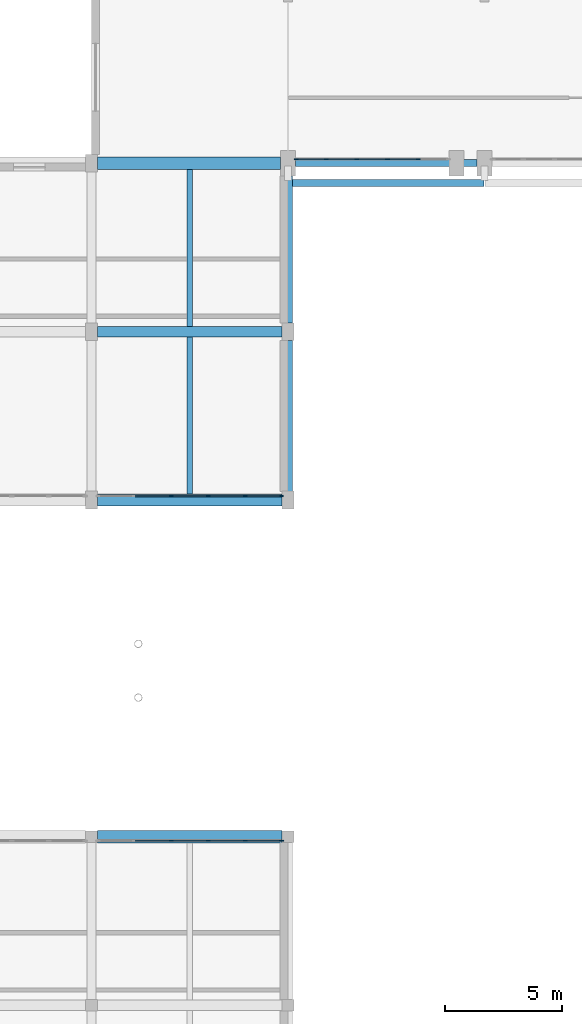
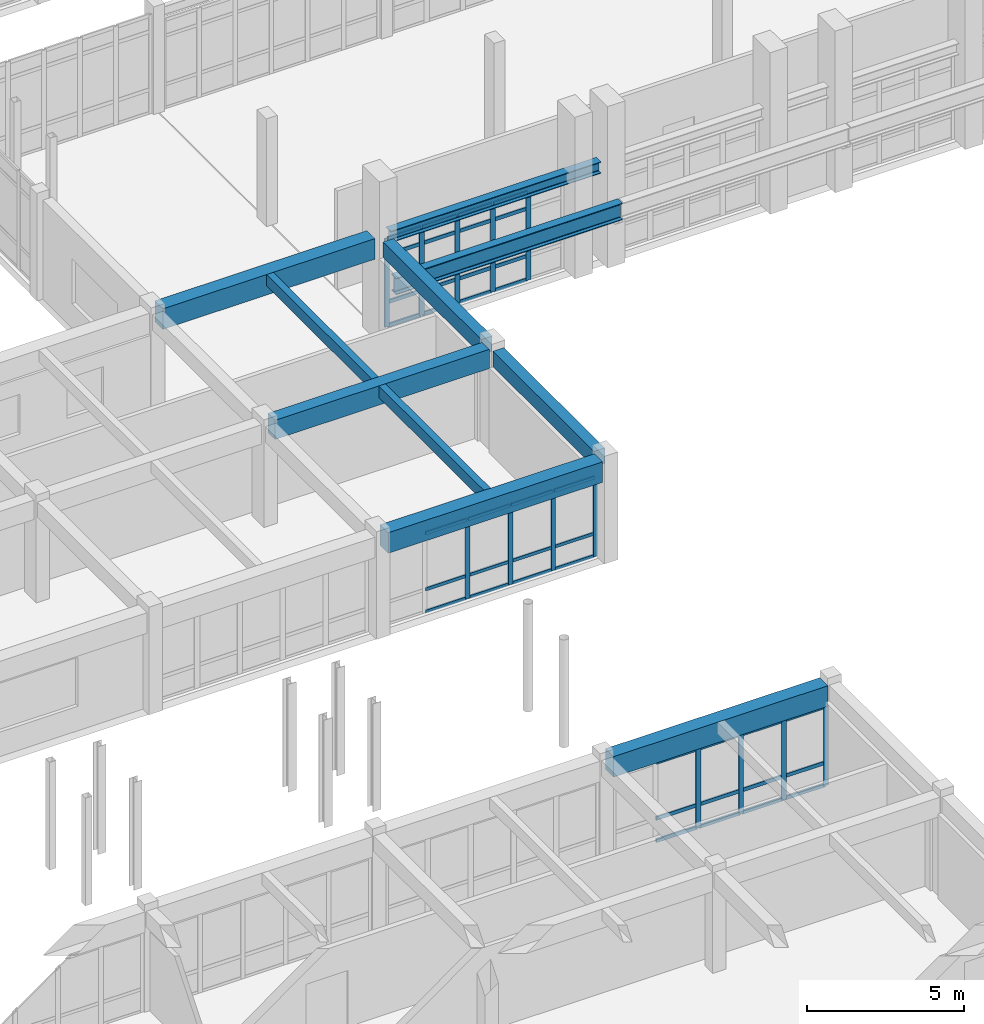
# One storey, part 88 of 147: 53 members, 10 beams, 3 elements without a shape of their own.
"""IFC4 building model written with IfcOpenShell, lengths in metres."""

from ifc_helpers import new_model, si_unit, direction, frame, origin, origin_2d, place, context, subcontext, project, spatial, rectangle, i_section, extrude, material, material_profile, profile_set, type_object, element, aggregate, save


model = new_model("IFC4")

# Units and contexts
model_context = context("Model", 3, precision=1e-05, world=origin(), true_north=direction((0.0, 1.0)))
body_context = subcontext(model_context, "Body", "Model", "MODEL_VIEW")
ifc_project = project(units=[si_unit("LENGTHUNIT", "METRE"), si_unit("AREAUNIT", "SQUARE_METRE"), si_unit("VOLUMEUNIT", "CUBIC_METRE"), si_unit("PLANEANGLEUNIT", "RADIAN"), si_unit("MASSUNIT", "GRAM", prefix="KILO")], contexts=[model_context])

# Site, building, storey
site_placement = place(None, origin())
site = spatial("IfcSite", under=ifc_project, at=site_placement, CompositionType="ELEMENT")
building_placement = place(site_placement, origin())
building = spatial("IfcBuilding", under=site, at=building_placement, Name="Malvenik Polytechnic", CompositionType="ELEMENT")
storey_placement = place(building_placement, frame((0.0, 0.0, 5.10009765625)))
storey = spatial("IfcBuildingStorey", under=building, at=storey_placement, Name="L01", CompositionType="ELEMENT", Elevation=5.10009765625)

# Curtain wall, members
ifc_material_1 = material(Name="Anodised aluminium 6060-T6", Category="aluminium")
curtain_wall_type_1 = type_object("IfcCurtainWallType", Name="ARC-CW-CW-02", PredefinedType="NOTDEFINED", material=ifc_material_1)
curtain_wall_1_placement = place(storey_placement, origin())
curtain_wall_1 = element("IfcCurtainWall", 1, at=curtain_wall_1_placement, inside=storey, type_object=curtain_wall_type_1, Name="Unitised Curtain Wall CW-02 L01 #77", PredefinedType="NOTDEFINED")
ifc_material_2 = material(Name="Anodised aluminium", Category="aluminium")
ifc_material_profile_1 = material_profile(ifc_material_2, rectangle(XDim=0.06005859375, YDim=0.159912109375, at=origin_2d()), Name="ALU MULLION 60x160")
ifc_profile_set_1 = profile_set([ifc_material_profile_1], Name="Anodised aluminium")
member_type_1 = type_object("IfcMemberType", Name="ARC-CWM-160", PredefinedType="MULLION", material=ifc_profile_set_1)
member_1_placement = place(storey_placement, frame((134.1220703125, 79.3701171875, 0.0), z_axis=(0.0, 0.0, 1.0), x_axis=(0.0, -1.0, 0.0)))
member_1 = element("IfcMember", 2, at=member_1_placement, type_object=member_type_1, Name="CW-02 mullion 1", PredefinedType="MULLION", context=body_context, shape_type="SweptSolid", body=[
    extrude(rectangle(XDim=0.06005859375, YDim=0.159912109375, at=origin_2d()), origin(), (0.0, 0.0, 1.0), 3.10986328125),
])
member_2_placement = place(storey_placement, frame((132.5712890625, 79.3701171875, 0.0), z_axis=(0.0, 0.0, 1.0), x_axis=(0.0, -1.0, 0.0)))
member_2 = element("IfcMember", 3, at=member_2_placement, type_object=member_type_1, Name="CW-02 mullion 2", PredefinedType="MULLION", context=body_context, shape_type="SweptSolid", body=[
    extrude(rectangle(XDim=0.06005859375, YDim=0.159912109375, at=origin_2d()), origin(), (0.0, 0.0, 1.0), 3.10986328125),
])
member_3_placement = place(storey_placement, frame((130.990478515625, 79.3701171875, 0.0), z_axis=(0.0, 0.0, 1.0), x_axis=(0.0, -1.0, 0.0)))
member_3 = element("IfcMember", 4, at=member_3_placement, type_object=member_type_1, Name="CW-02 mullion 3", PredefinedType="MULLION", context=body_context, shape_type="SweptSolid", body=[
    extrude(rectangle(XDim=0.06005859375, YDim=0.159912109375, at=origin_2d()), origin(), (0.0, 0.0, 1.0), 3.10986328125),
])
member_4_placement = place(storey_placement, frame((129.40966796875, 79.3701171875, 0.0), z_axis=(0.0, 0.0, 1.0), x_axis=(0.0, -1.0, 0.0)))
member_4 = element("IfcMember", 5, at=member_4_placement, type_object=member_type_1, Name="CW-02 mullion 4", PredefinedType="MULLION", context=body_context, shape_type="SweptSolid", body=[
    extrude(rectangle(XDim=0.06005859375, YDim=0.159912109375, at=origin_2d()), origin(), (0.0, 0.0, 1.0), 3.10986328125),
])

curtain_wall_type_2 = type_object("IfcCurtainWallType", Name="ARC-CW-CW-05", PredefinedType="NOTDEFINED", material=ifc_material_1)
curtain_wall_2_placement = place(storey_placement, origin())
curtain_wall_2 = element("IfcCurtainWall", 6, at=curtain_wall_2_placement, inside=storey, type_object=curtain_wall_type_2, Name="Unitised Curtain Wall CW-05 L01 #76", PredefinedType="NOTDEFINED")
ifc_material_profile_2 = material_profile(ifc_material_2, rectangle(XDim=0.06005859375, YDim=0.179931640625, at=origin_2d()), Name="ALU MULLION 60x180")
ifc_profile_set_2 = profile_set([ifc_material_profile_2], Name="Anodised aluminium")
member_type_2 = type_object("IfcMemberType", Name="ARC-CWM-180", PredefinedType="MULLION", material=ifc_profile_set_2)
member_5_placement = place(storey_placement, frame((139.96630859375, 93.77001953125, 0.0), z_axis=(0.0, 0.0, 1.0), x_axis=(0.0, -1.0, 0.0)))
member_5 = element("IfcMember", 7, at=member_5_placement, type_object=member_type_2, Name="CW-05 mullion 2", PredefinedType="MULLION", context=body_context, shape_type="SweptSolid", body=[
    extrude(rectangle(XDim=0.06005859375, YDim=0.179931640625, at=origin_2d()), origin(), (0.0, 0.0, 1.0), 3.447998046875),
])
member_6_placement = place(storey_placement, frame((138.655517578125, 93.77001953125, 0.0), z_axis=(0.0, 0.0, 1.0), x_axis=(0.0, -1.0, 0.0)))
member_6 = element("IfcMember", 8, at=member_6_placement, type_object=member_type_2, Name="CW-05 mullion 3", PredefinedType="MULLION", context=body_context, shape_type="SweptSolid", body=[
    extrude(rectangle(XDim=0.06005859375, YDim=0.179931640625, at=origin_2d()), origin(), (0.0, 0.0, 1.0), 3.447998046875),
])
member_7_placement = place(storey_placement, frame((137.344482421875, 93.77001953125, 0.0), z_axis=(0.0, 0.0, 1.0), x_axis=(0.0, -1.0, 0.0)))
member_7 = element("IfcMember", 9, at=member_7_placement, type_object=member_type_2, Name="CW-05 mullion 4", PredefinedType="MULLION", context=body_context, shape_type="SweptSolid", body=[
    extrude(rectangle(XDim=0.06005859375, YDim=0.179931640625, at=origin_2d()), origin(), (0.0, 0.0, 1.0), 3.447998046875),
])
member_8_placement = place(storey_placement, frame((136.03369140625, 93.77001953125, 0.0), z_axis=(0.0, 0.0, 1.0), x_axis=(0.0, -1.0, 0.0)))
member_8 = element("IfcMember", 10, at=member_8_placement, type_object=member_type_2, Name="CW-05 mullion 5", PredefinedType="MULLION", context=body_context, shape_type="SweptSolid", body=[
    extrude(rectangle(XDim=0.06005859375, YDim=0.179931640625, at=origin_2d()), origin(), (0.0, 0.0, 1.0), 3.447998046875),
])
member_9_placement = place(storey_placement, frame((134.7529296875, 93.77001953125, 0.0), z_axis=(0.0, 0.0, 1.0), x_axis=(0.0, -1.0, 0.0)))
member_9 = element("IfcMember", 11, at=member_9_placement, type_object=member_type_2, Name="CW-05 mullion 6", PredefinedType="MULLION", context=body_context, shape_type="SweptSolid", body=[
    extrude(rectangle(XDim=0.06005859375, YDim=0.179931640625, at=origin_2d()), origin(), (0.0, 0.0, 1.0), 3.447998046875),
])

curtain_wall_3_placement = place(storey_placement, origin())
curtain_wall_3 = element("IfcCurtainWall", 12, at=curtain_wall_3_placement, inside=storey, type_object=curtain_wall_type_1, Name="Unitised Curtain Wall CW-02 L01 #88", PredefinedType="NOTDEFINED")
member_10_placement = place(storey_placement, frame((129.40966796875, 64.6298828125, 0.0), z_axis=(0.0, 0.0, 1.0), x_axis=(0.0, 1.0, 0.0)))
member_10 = element("IfcMember", 13, at=member_10_placement, type_object=member_type_2, Name="CW-02 mullion 3", PredefinedType="MULLION", context=body_context, shape_type="SweptSolid", body=[
    extrude(rectangle(XDim=0.06005859375, YDim=0.179931640625, at=origin_2d()), origin(), (0.0, 0.0, 1.0), 3.10986328125),
])
member_11_placement = place(storey_placement, frame((130.990478515625, 64.6298828125, 0.0), z_axis=(0.0, 0.0, 1.0), x_axis=(0.0, 1.0, 0.0)))
member_11 = element("IfcMember", 14, at=member_11_placement, type_object=member_type_2, Name="CW-02 mullion 4", PredefinedType="MULLION", context=body_context, shape_type="SweptSolid", body=[
    extrude(rectangle(XDim=0.06005859375, YDim=0.179931640625, at=origin_2d()), origin(), (0.0, 0.0, 1.0), 3.10986328125),
])
member_12_placement = place(storey_placement, frame((132.5712890625, 64.6298828125, 0.0), z_axis=(0.0, 0.0, 1.0), x_axis=(0.0, 1.0, 0.0)))
member_12 = element("IfcMember", 15, at=member_12_placement, type_object=member_type_2, Name="CW-02 mullion 5", PredefinedType="MULLION", context=body_context, shape_type="SweptSolid", body=[
    extrude(rectangle(XDim=0.06005859375, YDim=0.179931640625, at=origin_2d()), origin(), (0.0, 0.0, 1.0), 3.10986328125),
])
member_13_placement = place(storey_placement, frame((134.1220703125, 64.6298828125, 0.0), z_axis=(0.0, 0.0, 1.0), x_axis=(0.0, 1.0, 0.0)))
member_13 = element("IfcMember", 16, at=member_13_placement, type_object=member_type_2, Name="CW-02 mullion 6", PredefinedType="MULLION", context=body_context, shape_type="SweptSolid", body=[
    extrude(rectangle(XDim=0.06005859375, YDim=0.179931640625, at=origin_2d()), origin(), (0.0, 0.0, 1.0), 3.10986328125),
])

# Member
ifc_material_profile_3 = material_profile(ifc_material_2, rectangle(XDim=0.06005859375, YDim=0.1201171875, at=origin_2d()), Name="ALU TRANSOM 60x120")
ifc_profile_set_3 = profile_set([ifc_material_profile_3], Name="Anodised aluminium")
member_type_3 = type_object("IfcMemberType", Name="ARC-CWT-120", PredefinedType="USERDEFINED", material=ifc_profile_set_3)
member_14_placement = place(storey_placement, frame((134.092041015625, 79.3701171875, 0.02978515625), z_axis=(-1.0, 0.0, 0.0), x_axis=(0.0, -1.0, 0.0)))
member_14 = element("IfcMember", 17, at=member_14_placement, type_object=member_type_3, Name="CW-02 transom 1.1", ObjectType="TRANSOM", PredefinedType="USERDEFINED", context=body_context, shape_type="SweptSolid", body=[
    extrude(rectangle(XDim=0.06005859375, YDim=0.1201171875, at=origin_2d()), origin(), (0.0, 0.0, 1.0), 1.49072265625),
])

member_15_placement = place(storey_placement, frame((134.092041015625, 79.3701171875, 0.89990234375), z_axis=(-1.0, 0.0, 0.0), x_axis=(0.0, -1.0, 0.0)))
member_15 = element("IfcMember", 18, at=member_15_placement, type_object=member_type_3, Name="CW-02 transom 1.2", ObjectType="TRANSOM", PredefinedType="USERDEFINED", context=body_context, shape_type="SweptSolid", body=[
    extrude(rectangle(XDim=0.06005859375, YDim=0.1201171875, at=origin_2d()), origin(), (0.0, 0.0, 1.0), 1.49072265625),
])

member_16_placement = place(storey_placement, frame((134.092041015625, 79.3701171875, 3.079833984375), z_axis=(-1.0, 0.0, 0.0), x_axis=(0.0, -1.0, 0.0)))
member_16 = element("IfcMember", 19, at=member_16_placement, type_object=member_type_3, Name="CW-02 transom 1.3", ObjectType="TRANSOM", PredefinedType="USERDEFINED", context=body_context, shape_type="SweptSolid", body=[
    extrude(rectangle(XDim=0.06005859375, YDim=0.1201171875, at=origin_2d()), origin(), (0.0, 0.0, 1.0), 1.49072265625),
])

member_17_placement = place(storey_placement, frame((132.541259765625, 79.3701171875, 0.02978515625), z_axis=(-1.0, 0.0, 0.0), x_axis=(0.0, -1.0, 0.0)))
member_17 = element("IfcMember", 20, at=member_17_placement, type_object=member_type_3, Name="CW-02 transom 2.1", ObjectType="TRANSOM", PredefinedType="USERDEFINED", context=body_context, shape_type="SweptSolid", body=[
    extrude(rectangle(XDim=0.06005859375, YDim=0.1201171875, at=origin_2d()), origin(), (0.0, 0.0, 1.0), 1.520751953125),
])

member_18_placement = place(storey_placement, frame((132.541259765625, 79.3701171875, 0.89990234375), z_axis=(-1.0, 0.0, 0.0), x_axis=(0.0, -1.0, 0.0)))
member_18 = element("IfcMember", 21, at=member_18_placement, type_object=member_type_3, Name="CW-02 transom 2.2", ObjectType="TRANSOM", PredefinedType="USERDEFINED", context=body_context, shape_type="SweptSolid", body=[
    extrude(rectangle(XDim=0.06005859375, YDim=0.1201171875, at=origin_2d()), origin(), (0.0, 0.0, 1.0), 1.520751953125),
])

member_19_placement = place(storey_placement, frame((132.541259765625, 79.3701171875, 3.079833984375), z_axis=(-1.0, 0.0, 0.0), x_axis=(0.0, -1.0, 0.0)))
member_19 = element("IfcMember", 22, at=member_19_placement, type_object=member_type_3, Name="CW-02 transom 2.3", ObjectType="TRANSOM", PredefinedType="USERDEFINED", context=body_context, shape_type="SweptSolid", body=[
    extrude(rectangle(XDim=0.06005859375, YDim=0.1201171875, at=origin_2d()), origin(), (0.0, 0.0, 1.0), 1.520751953125),
])

member_20_placement = place(storey_placement, frame((130.96044921875, 79.3701171875, 0.02978515625), z_axis=(-1.0, 0.0, 0.0), x_axis=(0.0, -1.0, 0.0)))
member_20 = element("IfcMember", 23, at=member_20_placement, type_object=member_type_3, Name="CW-02 transom 3.1", ObjectType="TRANSOM", PredefinedType="USERDEFINED", context=body_context, shape_type="SweptSolid", body=[
    extrude(rectangle(XDim=0.06005859375, YDim=0.1201171875, at=origin_2d()), origin(), (0.0, 0.0, 1.0), 1.520751953125),
])

member_21_placement = place(storey_placement, frame((130.96044921875, 79.3701171875, 0.89990234375), z_axis=(-1.0, 0.0, 0.0), x_axis=(0.0, -1.0, 0.0)))
member_21 = element("IfcMember", 24, at=member_21_placement, type_object=member_type_3, Name="CW-02 transom 3.2", ObjectType="TRANSOM", PredefinedType="USERDEFINED", context=body_context, shape_type="SweptSolid", body=[
    extrude(rectangle(XDim=0.06005859375, YDim=0.1201171875, at=origin_2d()), origin(), (0.0, 0.0, 1.0), 1.520751953125),
])

member_22_placement = place(storey_placement, frame((130.96044921875, 79.3701171875, 3.079833984375), z_axis=(-1.0, 0.0, 0.0), x_axis=(0.0, -1.0, 0.0)))
member_22 = element("IfcMember", 25, at=member_22_placement, type_object=member_type_3, Name="CW-02 transom 3.3", ObjectType="TRANSOM", PredefinedType="USERDEFINED", context=body_context, shape_type="SweptSolid", body=[
    extrude(rectangle(XDim=0.06005859375, YDim=0.1201171875, at=origin_2d()), origin(), (0.0, 0.0, 1.0), 1.520751953125),
])

member_23_placement = place(storey_placement, frame((129.379638671875, 79.3701171875, 0.02978515625), z_axis=(-1.0, 0.0, 0.0), x_axis=(0.0, -1.0, 0.0)))
member_23 = element("IfcMember", 26, at=member_23_placement, type_object=member_type_3, Name="CW-02 transom 4.1", ObjectType="TRANSOM", PredefinedType="USERDEFINED", context=body_context, shape_type="SweptSolid", body=[
    extrude(rectangle(XDim=0.06005859375, YDim=0.1201171875, at=origin_2d()), origin(), (0.0, 0.0, 1.0), 1.520751953125),
])

member_24_placement = place(storey_placement, frame((129.379638671875, 79.3701171875, 0.89990234375), z_axis=(-1.0, 0.0, 0.0), x_axis=(0.0, -1.0, 0.0)))
member_24 = element("IfcMember", 27, at=member_24_placement, type_object=member_type_3, Name="CW-02 transom 4.2", ObjectType="TRANSOM", PredefinedType="USERDEFINED", context=body_context, shape_type="SweptSolid", body=[
    extrude(rectangle(XDim=0.06005859375, YDim=0.1201171875, at=origin_2d()), origin(), (0.0, 0.0, 1.0), 1.520751953125),
])

member_25_placement = place(storey_placement, frame((129.379638671875, 79.3701171875, 3.079833984375), z_axis=(-1.0, 0.0, 0.0), x_axis=(0.0, -1.0, 0.0)))
member_25 = element("IfcMember", 28, at=member_25_placement, type_object=member_type_3, Name="CW-02 transom 4.3", ObjectType="TRANSOM", PredefinedType="USERDEFINED", context=body_context, shape_type="SweptSolid", body=[
    extrude(rectangle(XDim=0.06005859375, YDim=0.1201171875, at=origin_2d()), origin(), (0.0, 0.0, 1.0), 1.520751953125),
])

aggregate(curtain_wall_1, [member_1, member_2, member_3, member_4, member_14, member_15, member_16, member_17, member_18, member_19, member_20, member_21, member_22, member_23, member_24, member_25])

ifc_material_profile_4 = material_profile(ifc_material_2, rectangle(XDim=0.06005859375, YDim=0.139892578125, at=origin_2d()), Name="ALU TRANSOM 60x140")
ifc_profile_set_4 = profile_set([ifc_material_profile_4], Name="Anodised aluminium")
member_type_4 = type_object("IfcMemberType", Name="ARC-CWT-140", PredefinedType="USERDEFINED", material=ifc_profile_set_4)
member_26_placement = place(storey_placement, frame((139.936279296875, 93.77001953125, 0.02978515625), z_axis=(-1.0, 0.0, 0.0), x_axis=(0.0, -1.0, 0.0)))
member_26 = element("IfcMember", 29, at=member_26_placement, type_object=member_type_4, Name="CW-05 transom 2.1", ObjectType="TRANSOM", PredefinedType="USERDEFINED", context=body_context, shape_type="SweptSolid", body=[
    extrude(rectangle(XDim=0.06005859375, YDim=0.139892578125, at=origin_2d()), origin(), (0.0, 0.0, 1.0), 1.2509765625),
])

member_27_placement = place(storey_placement, frame((139.936279296875, 93.77001953125, 0.949951171875), z_axis=(-1.0, 0.0, 0.0), x_axis=(0.0, -1.0, 0.0)))
member_27 = element("IfcMember", 30, at=member_27_placement, type_object=member_type_4, Name="CW-05 transom 2.2", ObjectType="TRANSOM", PredefinedType="USERDEFINED", context=body_context, shape_type="SweptSolid", body=[
    extrude(rectangle(XDim=0.06005859375, YDim=0.139892578125, at=origin_2d()), origin(), (0.0, 0.0, 1.0), 1.2509765625),
])

member_28_placement = place(storey_placement, frame((139.936279296875, 93.77001953125, 2.7978515625), z_axis=(-1.0, 0.0, 0.0), x_axis=(0.0, -1.0, 0.0)))
member_28 = element("IfcMember", 31, at=member_28_placement, type_object=member_type_4, Name="CW-05 transom 2.3", ObjectType="TRANSOM", PredefinedType="USERDEFINED", context=body_context, shape_type="SweptSolid", body=[
    extrude(rectangle(XDim=0.06005859375, YDim=0.139892578125, at=origin_2d()), origin(), (0.0, 0.0, 1.0), 1.2509765625),
])

member_29_placement = place(storey_placement, frame((139.936279296875, 93.77001953125, 3.41796875), z_axis=(-1.0, 0.0, 0.0), x_axis=(0.0, -1.0, 0.0)))
member_29 = element("IfcMember", 32, at=member_29_placement, type_object=member_type_4, Name="CW-05 transom 2.4", ObjectType="TRANSOM", PredefinedType="USERDEFINED", context=body_context, shape_type="SweptSolid", body=[
    extrude(rectangle(XDim=0.06005859375, YDim=0.139892578125, at=origin_2d()), origin(), (0.0, 0.0, 1.0), 1.2509765625),
])

member_30_placement = place(storey_placement, frame((138.62548828125, 93.77001953125, 0.02978515625), z_axis=(-1.0, 0.0, 0.0), x_axis=(0.0, -1.0, 0.0)))
member_30 = element("IfcMember", 33, at=member_30_placement, type_object=member_type_4, Name="CW-05 transom 3.1", ObjectType="TRANSOM", PredefinedType="USERDEFINED", context=body_context, shape_type="SweptSolid", body=[
    extrude(rectangle(XDim=0.06005859375, YDim=0.139892578125, at=origin_2d()), origin(), (0.0, 0.0, 1.0), 1.2509765625),
])

member_31_placement = place(storey_placement, frame((138.62548828125, 93.77001953125, 0.949951171875), z_axis=(-1.0, 0.0, 0.0), x_axis=(0.0, -1.0, 0.0)))
member_31 = element("IfcMember", 34, at=member_31_placement, type_object=member_type_4, Name="CW-05 transom 3.2", ObjectType="TRANSOM", PredefinedType="USERDEFINED", context=body_context, shape_type="SweptSolid", body=[
    extrude(rectangle(XDim=0.06005859375, YDim=0.139892578125, at=origin_2d()), origin(), (0.0, 0.0, 1.0), 1.2509765625),
])

member_32_placement = place(storey_placement, frame((138.62548828125, 93.77001953125, 2.7978515625), z_axis=(-1.0, 0.0, 0.0), x_axis=(0.0, -1.0, 0.0)))
member_32 = element("IfcMember", 35, at=member_32_placement, type_object=member_type_4, Name="CW-05 transom 3.3", ObjectType="TRANSOM", PredefinedType="USERDEFINED", context=body_context, shape_type="SweptSolid", body=[
    extrude(rectangle(XDim=0.06005859375, YDim=0.139892578125, at=origin_2d()), origin(), (0.0, 0.0, 1.0), 1.2509765625),
])

member_33_placement = place(storey_placement, frame((138.62548828125, 93.77001953125, 3.41796875), z_axis=(-1.0, 0.0, 0.0), x_axis=(0.0, -1.0, 0.0)))
member_33 = element("IfcMember", 36, at=member_33_placement, type_object=member_type_4, Name="CW-05 transom 3.4", ObjectType="TRANSOM", PredefinedType="USERDEFINED", context=body_context, shape_type="SweptSolid", body=[
    extrude(rectangle(XDim=0.06005859375, YDim=0.139892578125, at=origin_2d()), origin(), (0.0, 0.0, 1.0), 1.2509765625),
])

member_34_placement = place(storey_placement, frame((137.314697265625, 93.77001953125, 0.02978515625), z_axis=(-1.0, 0.0, 0.0), x_axis=(0.0, -1.0, 0.0)))
member_34 = element("IfcMember", 37, at=member_34_placement, type_object=member_type_4, Name="CW-05 transom 4.1", ObjectType="TRANSOM", PredefinedType="USERDEFINED", context=body_context, shape_type="SweptSolid", body=[
    extrude(rectangle(XDim=0.06005859375, YDim=0.139892578125, at=origin_2d()), origin(), (0.0, 0.0, 1.0), 1.2509765625),
])

member_35_placement = place(storey_placement, frame((137.314697265625, 93.77001953125, 0.949951171875), z_axis=(-1.0, 0.0, 0.0), x_axis=(0.0, -1.0, 0.0)))
member_35 = element("IfcMember", 38, at=member_35_placement, type_object=member_type_4, Name="CW-05 transom 4.2", ObjectType="TRANSOM", PredefinedType="USERDEFINED", context=body_context, shape_type="SweptSolid", body=[
    extrude(rectangle(XDim=0.06005859375, YDim=0.139892578125, at=origin_2d()), origin(), (0.0, 0.0, 1.0), 1.2509765625),
])

member_36_placement = place(storey_placement, frame((137.314697265625, 93.77001953125, 2.7978515625), z_axis=(-1.0, 0.0, 0.0), x_axis=(0.0, -1.0, 0.0)))
member_36 = element("IfcMember", 39, at=member_36_placement, type_object=member_type_4, Name="CW-05 transom 4.3", ObjectType="TRANSOM", PredefinedType="USERDEFINED", context=body_context, shape_type="SweptSolid", body=[
    extrude(rectangle(XDim=0.06005859375, YDim=0.139892578125, at=origin_2d()), origin(), (0.0, 0.0, 1.0), 1.2509765625),
])

member_37_placement = place(storey_placement, frame((137.314697265625, 93.77001953125, 3.41796875), z_axis=(-1.0, 0.0, 0.0), x_axis=(0.0, -1.0, 0.0)))
member_37 = element("IfcMember", 40, at=member_37_placement, type_object=member_type_4, Name="CW-05 transom 4.4", ObjectType="TRANSOM", PredefinedType="USERDEFINED", context=body_context, shape_type="SweptSolid", body=[
    extrude(rectangle(XDim=0.06005859375, YDim=0.139892578125, at=origin_2d()), origin(), (0.0, 0.0, 1.0), 1.2509765625),
])

member_38_placement = place(storey_placement, frame((136.00390625, 93.77001953125, 0.02978515625), z_axis=(-1.0, 0.0, 0.0), x_axis=(0.0, -1.0, 0.0)))
member_38 = element("IfcMember", 41, at=member_38_placement, type_object=member_type_4, Name="CW-05 transom 5.1", ObjectType="TRANSOM", PredefinedType="USERDEFINED", context=body_context, shape_type="SweptSolid", body=[
    extrude(rectangle(XDim=0.06005859375, YDim=0.139892578125, at=origin_2d()), origin(), (0.0, 0.0, 1.0), 1.220947265625),
])

member_39_placement = place(storey_placement, frame((136.00390625, 93.77001953125, 0.949951171875), z_axis=(-1.0, 0.0, 0.0), x_axis=(0.0, -1.0, 0.0)))
member_39 = element("IfcMember", 42, at=member_39_placement, type_object=member_type_4, Name="CW-05 transom 5.2", ObjectType="TRANSOM", PredefinedType="USERDEFINED", context=body_context, shape_type="SweptSolid", body=[
    extrude(rectangle(XDim=0.06005859375, YDim=0.139892578125, at=origin_2d()), origin(), (0.0, 0.0, 1.0), 1.220947265625),
])

member_40_placement = place(storey_placement, frame((136.00390625, 93.77001953125, 2.7978515625), z_axis=(-1.0, 0.0, 0.0), x_axis=(0.0, -1.0, 0.0)))
member_40 = element("IfcMember", 43, at=member_40_placement, type_object=member_type_4, Name="CW-05 transom 5.3", ObjectType="TRANSOM", PredefinedType="USERDEFINED", context=body_context, shape_type="SweptSolid", body=[
    extrude(rectangle(XDim=0.06005859375, YDim=0.139892578125, at=origin_2d()), origin(), (0.0, 0.0, 1.0), 1.220947265625),
])

member_41_placement = place(storey_placement, frame((136.00390625, 93.77001953125, 3.41796875), z_axis=(-1.0, 0.0, 0.0), x_axis=(0.0, -1.0, 0.0)))
member_41 = element("IfcMember", 44, at=member_41_placement, type_object=member_type_4, Name="CW-05 transom 5.4", ObjectType="TRANSOM", PredefinedType="USERDEFINED", context=body_context, shape_type="SweptSolid", body=[
    extrude(rectangle(XDim=0.06005859375, YDim=0.139892578125, at=origin_2d()), origin(), (0.0, 0.0, 1.0), 1.220947265625),
])

aggregate(curtain_wall_2, [member_5, member_6, member_7, member_8, member_9, member_26, member_27, member_28, member_29, member_30, member_31, member_32, member_33, member_34, member_35, member_36, member_37, member_38, member_39, member_40, member_41])

member_42_placement = place(storey_placement, frame((127.85888671875, 64.6298828125, 0.02978515625), z_axis=(1.0, 0.0, 0.0), x_axis=(0.0, 1.0, 0.0)))
member_42 = element("IfcMember", 45, at=member_42_placement, type_object=member_type_4, Name="CW-02 transom 2.1", ObjectType="TRANSOM", PredefinedType="USERDEFINED", context=body_context, shape_type="SweptSolid", body=[
    extrude(rectangle(XDim=0.06005859375, YDim=0.139892578125, at=origin_2d()), origin(), (0.0, 0.0, 1.0), 1.520751953125),
])

member_43_placement = place(storey_placement, frame((127.85888671875, 64.6298828125, 0.89990234375), z_axis=(1.0, 0.0, 0.0), x_axis=(0.0, 1.0, 0.0)))
member_43 = element("IfcMember", 46, at=member_43_placement, type_object=member_type_4, Name="CW-02 transom 2.2", ObjectType="TRANSOM", PredefinedType="USERDEFINED", context=body_context, shape_type="SweptSolid", body=[
    extrude(rectangle(XDim=0.06005859375, YDim=0.139892578125, at=origin_2d()), origin(), (0.0, 0.0, 1.0), 1.520751953125),
])

member_44_placement = place(storey_placement, frame((127.85888671875, 64.6298828125, 3.079833984375), z_axis=(1.0, 0.0, 0.0), x_axis=(0.0, 1.0, 0.0)))
member_44 = element("IfcMember", 47, at=member_44_placement, type_object=member_type_4, Name="CW-02 transom 2.3", ObjectType="TRANSOM", PredefinedType="USERDEFINED", context=body_context, shape_type="SweptSolid", body=[
    extrude(rectangle(XDim=0.06005859375, YDim=0.139892578125, at=origin_2d()), origin(), (0.0, 0.0, 1.0), 1.520751953125),
])

member_45_placement = place(storey_placement, frame((129.439697265625, 64.6298828125, 0.02978515625), z_axis=(1.0, 0.0, 0.0), x_axis=(0.0, 1.0, 0.0)))
member_45 = element("IfcMember", 48, at=member_45_placement, type_object=member_type_4, Name="CW-02 transom 3.1", ObjectType="TRANSOM", PredefinedType="USERDEFINED", context=body_context, shape_type="SweptSolid", body=[
    extrude(rectangle(XDim=0.06005859375, YDim=0.139892578125, at=origin_2d()), origin(), (0.0, 0.0, 1.0), 1.520751953125),
])

member_46_placement = place(storey_placement, frame((129.439697265625, 64.6298828125, 0.89990234375), z_axis=(1.0, 0.0, 0.0), x_axis=(0.0, 1.0, 0.0)))
member_46 = element("IfcMember", 49, at=member_46_placement, type_object=member_type_4, Name="CW-02 transom 3.2", ObjectType="TRANSOM", PredefinedType="USERDEFINED", context=body_context, shape_type="SweptSolid", body=[
    extrude(rectangle(XDim=0.06005859375, YDim=0.139892578125, at=origin_2d()), origin(), (0.0, 0.0, 1.0), 1.520751953125),
])

member_47_placement = place(storey_placement, frame((129.439697265625, 64.6298828125, 3.079833984375), z_axis=(1.0, 0.0, 0.0), x_axis=(0.0, 1.0, 0.0)))
member_47 = element("IfcMember", 50, at=member_47_placement, type_object=member_type_4, Name="CW-02 transom 3.3", ObjectType="TRANSOM", PredefinedType="USERDEFINED", context=body_context, shape_type="SweptSolid", body=[
    extrude(rectangle(XDim=0.06005859375, YDim=0.139892578125, at=origin_2d()), origin(), (0.0, 0.0, 1.0), 1.520751953125),
])

member_48_placement = place(storey_placement, frame((131.0205078125, 64.6298828125, 0.02978515625), z_axis=(1.0, 0.0, 0.0), x_axis=(0.0, 1.0, 0.0)))
member_48 = element("IfcMember", 51, at=member_48_placement, type_object=member_type_4, Name="CW-02 transom 4.1", ObjectType="TRANSOM", PredefinedType="USERDEFINED", context=body_context, shape_type="SweptSolid", body=[
    extrude(rectangle(XDim=0.06005859375, YDim=0.139892578125, at=origin_2d()), origin(), (0.0, 0.0, 1.0), 1.520751953125),
])

member_49_placement = place(storey_placement, frame((131.0205078125, 64.6298828125, 0.89990234375), z_axis=(1.0, 0.0, 0.0), x_axis=(0.0, 1.0, 0.0)))
member_49 = element("IfcMember", 52, at=member_49_placement, type_object=member_type_4, Name="CW-02 transom 4.2", ObjectType="TRANSOM", PredefinedType="USERDEFINED", context=body_context, shape_type="SweptSolid", body=[
    extrude(rectangle(XDim=0.06005859375, YDim=0.139892578125, at=origin_2d()), origin(), (0.0, 0.0, 1.0), 1.520751953125),
])

member_50_placement = place(storey_placement, frame((131.0205078125, 64.6298828125, 3.079833984375), z_axis=(1.0, 0.0, 0.0), x_axis=(0.0, 1.0, 0.0)))
member_50 = element("IfcMember", 53, at=member_50_placement, type_object=member_type_4, Name="CW-02 transom 4.3", ObjectType="TRANSOM", PredefinedType="USERDEFINED", context=body_context, shape_type="SweptSolid", body=[
    extrude(rectangle(XDim=0.06005859375, YDim=0.139892578125, at=origin_2d()), origin(), (0.0, 0.0, 1.0), 1.520751953125),
])

member_51_placement = place(storey_placement, frame((132.601318359375, 64.6298828125, 0.02978515625), z_axis=(1.0, 0.0, 0.0), x_axis=(0.0, 1.0, 0.0)))
member_51 = element("IfcMember", 54, at=member_51_placement, type_object=member_type_4, Name="CW-02 transom 5.1", ObjectType="TRANSOM", PredefinedType="USERDEFINED", context=body_context, shape_type="SweptSolid", body=[
    extrude(rectangle(XDim=0.06005859375, YDim=0.139892578125, at=origin_2d()), origin(), (0.0, 0.0, 1.0), 1.49072265625),
])

member_52_placement = place(storey_placement, frame((132.601318359375, 64.6298828125, 0.89990234375), z_axis=(1.0, 0.0, 0.0), x_axis=(0.0, 1.0, 0.0)))
member_52 = element("IfcMember", 55, at=member_52_placement, type_object=member_type_4, Name="CW-02 transom 5.2", ObjectType="TRANSOM", PredefinedType="USERDEFINED", context=body_context, shape_type="SweptSolid", body=[
    extrude(rectangle(XDim=0.06005859375, YDim=0.139892578125, at=origin_2d()), origin(), (0.0, 0.0, 1.0), 1.49072265625),
])

member_53_placement = place(storey_placement, frame((132.601318359375, 64.6298828125, 3.079833984375), z_axis=(1.0, 0.0, 0.0), x_axis=(0.0, 1.0, 0.0)))
member_53 = element("IfcMember", 56, at=member_53_placement, type_object=member_type_4, Name="CW-02 transom 5.3", ObjectType="TRANSOM", PredefinedType="USERDEFINED", context=body_context, shape_type="SweptSolid", body=[
    extrude(rectangle(XDim=0.06005859375, YDim=0.139892578125, at=origin_2d()), origin(), (0.0, 0.0, 1.0), 1.49072265625),
])

aggregate(curtain_wall_3, [member_10, member_11, member_12, member_13, member_42, member_43, member_44, member_45, member_46, member_47, member_48, member_49, member_50, member_51, member_52, member_53])

# Beams
ifc_material_3 = material(Name="Concrete C35/45", Category="concrete")
ifc_material_profile_5 = material_profile(ifc_material_3, rectangle(XDim=0.449951171875, YDim=0.75, at=origin_2d()), Name="RC BM 450x750")
ifc_profile_set_5 = profile_set([ifc_material_profile_5], Name="Concrete C35/45")
beam_type_1 = type_object("IfcBeamType", Name="STR-BM-B-03", PredefinedType="BEAM", material=ifc_profile_set_5)
beam_1_placement = place(storey_placement, frame((126.248046875, 86.39990234375, 3.544921875), z_axis=(1.0, 0.0, 0.0), x_axis=(0.0, 1.0, 0.0)))
element("IfcBeam", 57, at=beam_1_placement, inside=storey, type_object=beam_type_1, Name="Primary Beam B-03 L01 #1068", PredefinedType="BEAM", context=body_context, shape_type="SweptSolid", body=[
    extrude(rectangle(XDim=0.449951171875, YDim=0.75, at=origin_2d()), origin(), (0.0, 0.0, 1.0), 7.904052734375),
])
ifc_material_profile_6 = material_profile(ifc_material_3, rectangle(XDim=0.39990234375, YDim=0.60009765625, at=origin_2d()), Name="RC BM 400x600")
ifc_profile_set_6 = profile_set([ifc_material_profile_6], Name="Concrete C35/45")
beam_type_2 = type_object("IfcBeamType", Name="STR-BM-B-06", PredefinedType="BEAM", material=ifc_profile_set_6)
beam_2_placement = place(storey_placement, frame((134.39990234375, 79.572998046875, 3.619873046875), z_axis=(0.0, 1.0, 0.0), x_axis=(-1.0, 0.0, 0.0)))
element("IfcBeam", 58, at=beam_2_placement, inside=storey, type_object=beam_type_2, Name="Transverse Beam B-06 L01 #1246", PredefinedType="BEAM", context=body_context, shape_type="SweptSolid", body=[
    extrude(rectangle(XDim=0.39990234375, YDim=0.60009765625, at=origin_2d()), origin(), (0.0, 0.0, 1.0), 6.4541015625),
])
beam_3_placement = place(storey_placement, frame((134.39990234375, 86.77294921875, 3.619873046875), z_axis=(0.0, 1.0, 0.0), x_axis=(-1.0, 0.0, 0.0)))
element("IfcBeam", 59, at=beam_3_placement, inside=storey, type_object=beam_type_2, Name="Transverse Beam B-06 L01 #1247", PredefinedType="BEAM", context=body_context, shape_type="SweptSolid", body=[
    extrude(rectangle(XDim=0.39990234375, YDim=0.60009765625, at=origin_2d()), origin(), (0.0, 0.0, 1.0), 6.279052734375),
])
ifc_material_4 = material(Name="Steel S355", Category="steel")
ifc_material_profile_7 = material_profile(ifc_material_4, i_section(OverallWidth=0.300048828125, OverallDepth=0.64990234375, WebThickness=0.01611328125, FlangeThickness=0.031005859375, FilletRadius=0.027099609375, at=origin_2d()), Name="HEB 650")
ifc_profile_set_7 = profile_set([ifc_material_profile_7], Name="Steel S355")
beam_type_3 = type_object("IfcBeamType", Name="STR-BM-CB-01", PredefinedType="BEAM", material=ifc_profile_set_7)
beam_4_placement = place(storey_placement, frame((134.419921875, 92.75, 2.375), z_axis=(1.0, 0.0, 0.0), x_axis=(0.0, 1.0, 0.0)))
element("IfcBeam", 60, at=beam_4_placement, inside=storey, type_object=beam_type_3, Name="100 kN Crane Runway Girder CB-01 #2.1", PredefinedType="BEAM", context=body_context, shape_type="SweptSolid", body=[
    extrude(i_section(OverallWidth=0.300048828125, OverallDepth=0.64990234375, WebThickness=0.01611328125, FlangeThickness=0.031005859375, FilletRadius=0.027099609375, at=origin_2d()), origin(), (0.0, 0.0, 1.0), 8.360107421875),
])
ifc_material_5 = material(Name="Concrete C30/37", Category="concrete")
ifc_material_profile_8 = material_profile(ifc_material_5, rectangle(XDim=0.25, YDim=0.449951171875, at=origin_2d()), Name="RC JST 250x450")
ifc_profile_set_8 = profile_set([ifc_material_profile_8], Name="Concrete C30/37")
beam_type_4 = type_object("IfcBeamType", Name="STR-BM-J-02", PredefinedType="JOIST", material=ifc_profile_set_8)
for number, where, z_axis, x_axis, name in (
    (61, (130.199951171875, 79.4580078125, 3.69482421875), (0.0, 1.0, 0.0), (-1.0, 0.0, 0.0), "Secondary Rib Joist J-02 L01 #1327"),
    (62, (130.199951171875, 86.623046875, 3.69482421875), (0.0, 1.0, 0.0), (-1.0, 0.0, 0.0), "Secondary Rib Joist J-02 L01 #1328"),
):
    element("IfcBeam", number, at=place(storey_placement, frame(where, z_axis=z_axis, x_axis=x_axis)), inside=storey, type_object=beam_type_4, Name=name, PredefinedType="JOIST", context=body_context, shape_type="SweptSolid", body=[
        extrude(rectangle(XDim=0.25, YDim=0.449951171875, at=origin_2d()), origin(), (0.0, 0.0, 1.0), 6.718994140625),
    ])
ifc_material_profile_9 = material_profile(ifc_material_4, i_section(OverallWidth=0.300048828125, OverallDepth=0.449951171875, WebThickness=0.013916015625, FlangeThickness=0.02587890625, FilletRadius=0.027099609375, at=origin_2d()), Name="HEB 450")
ifc_profile_set_9 = profile_set([ifc_material_profile_9], Name="Steel S355")
beam_type_5 = type_object("IfcBeamType", Name="STR-BM-SB-02", PredefinedType="BEAM", material=ifc_profile_set_9)
beam_5_placement = place(storey_placement, frame((134.722900390625, 93.60009765625, 3.682861328125), z_axis=(1.0, 0.0, 0.0), x_axis=(0.0, 1.0, 0.0)))
element("IfcBeam", 63, at=beam_5_placement, inside=storey, type_object=beam_type_5, Name="Beam SB-02 #1", PredefinedType="BEAM", context=body_context, shape_type="SweptSolid", body=[
    extrude(i_section(OverallWidth=0.300048828125, OverallDepth=0.449951171875, WebThickness=0.013916015625, FlangeThickness=0.02587890625, FilletRadius=0.027099609375, at=origin_2d()), origin(), (0.0, 0.0, 1.0), 7.754150390625),
])
ifc_material_6 = material(Name="Precast concrete C40/50", Category="concrete")
ifc_material_profile_10 = material_profile(ifc_material_6, rectangle(XDim=0.52001953125, YDim=0.800048828125, at=origin_2d()), Name="PC SPN 520x800")
ifc_profile_set_10 = profile_set([ifc_material_profile_10], Name="Precast concrete C40/50")
beam_type_6 = type_object("IfcBeamType", Name="STR-BM-SP-01", PredefinedType="SPANDREL", material=ifc_profile_set_10)
for number, where, z_axis, x_axis, name in (
    (64, (126.248046875, 64.800048828125, 3.52001953125), (1.0, 0.0, 0.0), (0.0, 1.0, 0.0), "Primary Beam SP-01 L01 #1040"),
    (65, (126.248046875, 79.199951171875, 3.52001953125), (1.0, 0.0, 0.0), (0.0, 1.0, 0.0), "Primary Beam SP-01 L01 #1056"),
):
    element("IfcBeam", number, at=place(storey_placement, frame(where, z_axis=z_axis, x_axis=x_axis)), inside=storey, type_object=beam_type_6, Name=name, PredefinedType="SPANDREL", context=body_context, shape_type="SweptSolid", body=[
        extrude(rectangle(XDim=0.52001953125, YDim=0.800048828125, at=origin_2d()), origin(), (0.0, 0.0, 1.0), 7.904052734375),
    ])
beam_6_placement = place(storey_placement, frame((126.248046875, 93.60009765625, 3.52001953125), z_axis=(1.0, 0.0, 0.0), x_axis=(0.0, 1.0, 0.0)))
element("IfcBeam", 66, at=beam_6_placement, inside=storey, type_object=beam_type_6, Name="Primary Beam SP-01 L01 #1084", PredefinedType="SPANDREL", context=body_context, shape_type="SweptSolid", body=[
    extrude(rectangle(XDim=0.52001953125, YDim=0.800048828125, at=origin_2d()), origin(), (0.0, 0.0, 1.0), 7.828857421875),
])

save(model, "model.ifc")
